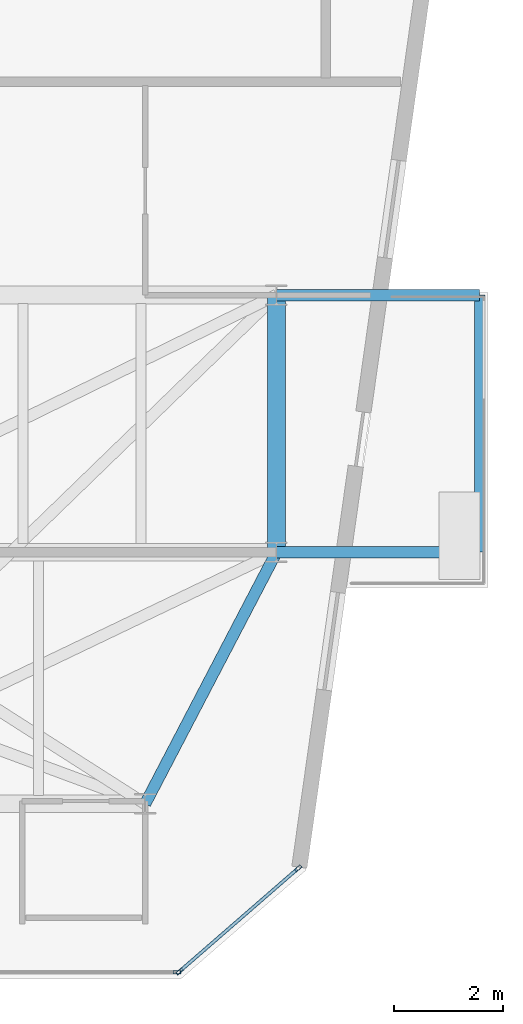
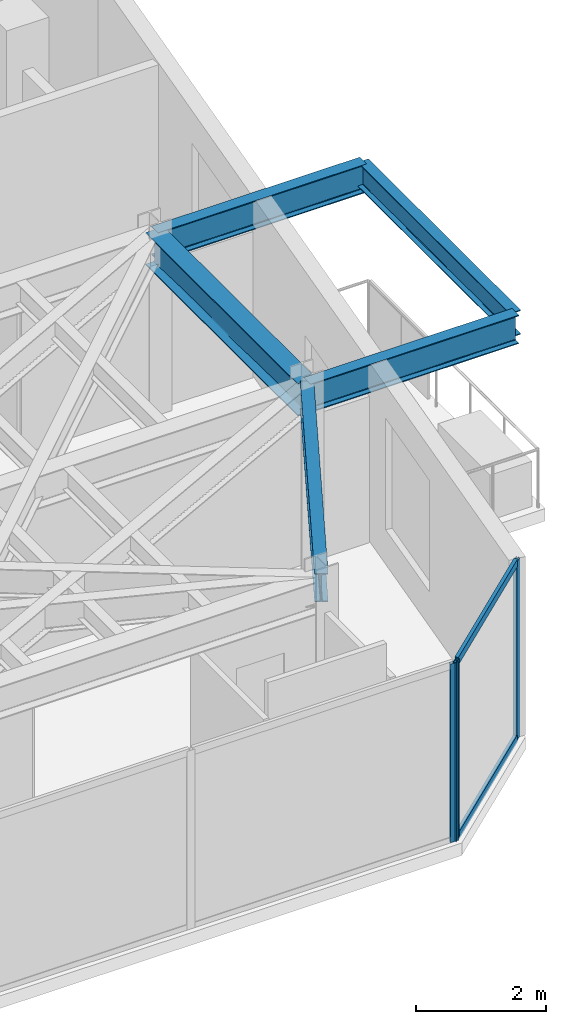
# One storey, part 12 of 17: 5 beams, 5 members, 2 elements without a shape of their own.
"""IFC4 building model written with IfcOpenShell, lengths in metres."""

from ifc_helpers import new_model, si_unit, direction, frame, origin, origin_2d, place, context, subcontext, project, spatial, hollow_rectangle, i_section, extrude, material, layer, layer_set, material_profile, profile_set, type_object, element, aggregate, save


model = new_model("IFC4")

# Units and contexts
model_context = context("Model", 3, precision=1e-05, world=origin(), true_north=direction((0.0, 1.0)))
body_context = subcontext(model_context, "Body", "Model", "MODEL_VIEW")
ifc_project = project(units=[si_unit("LENGTHUNIT", "METRE"), si_unit("AREAUNIT", "SQUARE_METRE"), si_unit("VOLUMEUNIT", "CUBIC_METRE"), si_unit("PLANEANGLEUNIT", "RADIAN"), si_unit("MASSUNIT", "GRAM", prefix="KILO")], contexts=[model_context])

# Site, building, storey
site_placement = place(None, origin())
site = spatial("IfcSite", under=ifc_project, at=site_placement, CompositionType="ELEMENT")
building_placement = place(site_placement, origin())
building = spatial("IfcBuilding", under=site, at=building_placement, Name="Kravanh Interchange Tower", CompositionType="ELEMENT")
storey_placement = place(building_placement, frame((0.0, 0.0, 285.89990234375)))
storey = spatial("IfcBuildingStorey", under=building, at=storey_placement, Name="L70", CompositionType="ELEMENT", Elevation=285.89990234375)

# Curtain wall, members
ifc_material_1 = material(Name="Anodised Bronze Aluminium", Category="aluminium")
ifc_layer = layer(ifc_material_1, 0.179931640625)
ifc_layer_set = layer_set([ifc_layer], Name="Unitised Curtain Wall System CW-HTL Luxury Hotel")
curtain_wall_type = type_object("IfcCurtainWallType", Name="Unitised Curtain Wall System CW-HTL Luxury Hotel", PredefinedType="NOTDEFINED", material=ifc_layer_set)
curtain_wall_1_placement = place(storey_placement, origin())
curtain_wall_1 = element("IfcCurtainWall", 1, at=curtain_wall_1_placement, inside=storey, type_object=curtain_wall_type, Name="L70 Unitised Curtain Wall CW-L70-02", PredefinedType="NOTDEFINED")
ifc_material_2 = material(Name="Anodised Bronze Aluminium", Category="aluminium")
ifc_material_profile_1 = material_profile(ifc_material_2, hollow_rectangle(XDim=0.06005859375, YDim=0.139892578125, WallThickness=0.00390625, at=origin_2d()), Name="ALU60X140X4")
ifc_profile_set_1 = profile_set([ifc_material_profile_1], Name="Anodised Bronze Aluminium")
member_type_1 = type_object("IfcMemberType", Name="Curtain Wall Mullion ALU60X140X4 Bronze", PredefinedType="MULLION", material=ifc_profile_set_1)
member_1_placement = place(storey_placement, frame((65.9970703125, 21.02197265625, 0.0), z_axis=(0.0, 0.0, 1.0), x_axis=(0.656033323139, -0.75473192521, 0.0)))
member_1 = element("IfcMember", 2, at=member_1_placement, type_object=member_type_1, Name="CW-HTL mullion 1", PredefinedType="MULLION", context=body_context, shape_type="SweptSolid", body=[
    extrude(hollow_rectangle(XDim=0.06005859375, YDim=0.139892578125, WallThickness=0.00390625, at=origin_2d()), origin(), (0.0, 0.0, 1.0), 3.364990234375),
])
member_2_placement = place(storey_placement, frame((63.831787109375, 19.1396484375, 0.0), z_axis=(0.0, 0.0, 1.0), x_axis=(0.656033323139, -0.75473192521, 0.0)))
member_2 = element("IfcMember", 3, at=member_2_placement, type_object=member_type_1, Name="CW-HTL mullion 2", PredefinedType="MULLION", context=body_context, shape_type="SweptSolid", body=[
    extrude(hollow_rectangle(XDim=0.06005859375, YDim=0.139892578125, WallThickness=0.00390625, at=origin_2d()), origin(), (0.0, 0.0, 1.0), 3.364990234375),
])

# Curtain wall, member
curtain_wall_2_placement = place(storey_placement, origin())
curtain_wall_2 = element("IfcCurtainWall", 4, at=curtain_wall_2_placement, inside=storey, type_object=curtain_wall_type, Name="L70 Unitised Curtain Wall CW-L70-03", PredefinedType="NOTDEFINED")
member_3_placement = place(storey_placement, frame((63.779052734375, 19.1201171875, 0.0), z_axis=(0.0, 0.0, 1.0), x_axis=(0.0, -1.0, 0.0)))
member_3 = element("IfcMember", 5, at=member_3_placement, type_object=member_type_1, Name="CW-HTL mullion 1", PredefinedType="MULLION", context=body_context, shape_type="SweptSolid", body=[
    extrude(hollow_rectangle(XDim=0.06005859375, YDim=0.139892578125, WallThickness=0.00390625, at=origin_2d()), origin(), (0.0, 0.0, 1.0), 3.364990234375),
])
aggregate(curtain_wall_2, [member_3])

# Member
ifc_material_3 = material(Name="Anodised Bronze Aluminium", Category="aluminium")
ifc_material_profile_2 = material_profile(ifc_material_3, hollow_rectangle(XDim=0.06005859375, YDim=0.139892578125, WallThickness=0.00390625, at=origin_2d()), Name="ALU60X140X4")
ifc_profile_set_2 = profile_set([ifc_material_profile_2], Name="Anodised Bronze Aluminium")
member_type_2 = type_object("IfcMemberType", Name="Curtain Wall Transom ALU60X140X4 Bronze", PredefinedType="USERDEFINED", material=ifc_profile_set_2)
member_4_placement = place(storey_placement, frame((65.974609375, 21.002197265625, 0.030029296875), z_axis=(-0.754747707805, -0.656015165651, 0.0), x_axis=(0.656015165651, -0.754747707805, 0.0)))
member_4 = element("IfcMember", 6, at=member_4_placement, type_object=member_type_2, Name="CW-HTL transom 1.1", ObjectType="TRANSOM", PredefinedType="USERDEFINED", context=body_context, shape_type="SweptSolid", body=[
    extrude(hollow_rectangle(XDim=0.06005859375, YDim=0.139892578125, WallThickness=0.00390625, at=origin_2d()), origin(), (0.0, 0.0, 1.0), 2.80908203125),
])

member_5_placement = place(storey_placement, frame((65.974609375, 21.002197265625, 3.335205078125), z_axis=(-0.754747707805, -0.656015165651, 0.0), x_axis=(0.656015165651, -0.754747707805, 0.0)))
member_5 = element("IfcMember", 7, at=member_5_placement, type_object=member_type_2, Name="CW-HTL transom 1.2", ObjectType="TRANSOM", PredefinedType="USERDEFINED", context=body_context, shape_type="SweptSolid", body=[
    extrude(hollow_rectangle(XDim=0.06005859375, YDim=0.139892578125, WallThickness=0.00390625, at=origin_2d()), origin(), (0.0, 0.0, 1.0), 2.80908203125),
])

aggregate(curtain_wall_1, [member_1, member_2, member_4, member_5])

# Beams
ifc_material_4 = material(Name="Structural Steel S355", Category="steel")
ifc_material_profile_3 = material_profile(ifc_material_4, i_section(OverallWidth=0.323974609375, OverallDepth=0.611083984375, WebThickness=0.0126953125, FlangeThickness=0.01904296875, FilletRadius=0.02197265625, at=origin_2d()), Name="W24X104")
ifc_profile_set_3 = profile_set([ifc_material_profile_3], Name="Structural Steel S355")
beam_type_1 = type_object("IfcBeamType", Name="Floor Beam W24X104 Structural Steel S355", PredefinedType="BEAM", material=ifc_profile_set_3)
beam_1_placement = place(storey_placement, frame((65.60009765625, 31.5, 3.0595703125), z_axis=(0.0, -1.0, 0.0), x_axis=(1.0, 0.0, 0.0)))
element("IfcBeam", 8, at=beam_1_placement, inside=storey, type_object=beam_type_1, Name="L70 Primary Floor Girder 13", PredefinedType="BEAM", context=body_context, shape_type="SweptSolid", body=[
    extrude(i_section(OverallWidth=0.323974609375, OverallDepth=0.611083984375, WebThickness=0.0126953125, FlangeThickness=0.01904296875, FilletRadius=0.02197265625, at=origin_2d()), origin(), (0.0, 0.0, 1.0), 4.699951171875),
])
ifc_material_5 = material(Name="Structural Steel S355", Category="steel")
ifc_material_profile_4 = material_profile(ifc_material_5, i_section(OverallWidth=0.18994140625, OverallDepth=0.45703125, WebThickness=0.009033203125, FlangeThickness=0.014404296875, FilletRadius=0.01806640625, at=origin_2d()), Name="W18X50")
ifc_profile_set_4 = profile_set([ifc_material_profile_4], Name="Structural Steel S355")
beam_type_2 = type_object("IfcBeamType", Name="Floor Joist W18X50 Structural Steel S355", PredefinedType="JOIST", material=ifc_profile_set_4)
beam_2_placement = place(storey_placement, frame((69.31298828125, 26.800048828125, 3.13671875), z_axis=(0.0, 1.0, 0.0), x_axis=(-1.0, 0.0, 0.0)))
element("IfcBeam", 9, at=beam_2_placement, inside=storey, type_object=beam_type_2, Name="L70 Balcony Edge Tie Beam E", PredefinedType="JOIST", context=body_context, shape_type="SweptSolid", body=[
    extrude(i_section(OverallWidth=0.18994140625, OverallDepth=0.45703125, WebThickness=0.009033203125, FlangeThickness=0.014404296875, FilletRadius=0.01806640625, at=origin_2d()), origin(), (0.0, 0.0, 1.0), 4.699951171875),
])
ifc_material_6 = material(Name="Structural Steel S355", Category="steel")
ifc_material_profile_5 = material_profile(ifc_material_6, i_section(OverallWidth=0.2099609375, OverallDepth=0.537109375, WebThickness=0.010986328125, FlangeThickness=0.017333984375, FilletRadius=0.02001953125, at=origin_2d()), Name="W21X68")
ifc_profile_set_5 = profile_set([ifc_material_profile_5], Name="Structural Steel S355")
beam_type_3 = type_object("IfcBeamType", Name="Floor Spandrel W21X68 Structural Steel S355", PredefinedType="SPANDREL", material=ifc_profile_set_5)
beam_3_placement = place(storey_placement, frame((65.60009765625, 26.800048828125, 3.0966796875), z_axis=(-0.462580479178, -0.886577295155, 0.0), x_axis=(0.886577295155, -0.462580479178, 0.0)))
element("IfcBeam", 10, at=beam_3_placement, inside=storey, type_object=beam_type_3, Name="L70 Perimeter Spandrel 31", PredefinedType="SPANDREL", context=body_context, shape_type="SweptSolid", body=[
    extrude(i_section(OverallWidth=0.2099609375, OverallDepth=0.537109375, WebThickness=0.010986328125, FlangeThickness=0.017333984375, FilletRadius=0.02001953125, at=origin_2d()), origin(), (0.0, 0.0, 1.0), 5.188720703125),
])
for number, where, z_axis, x_axis, name in (
    (11, (65.60009765625, 26.800048828125, 3.0966796875), (1.0, 0.0, 0.0), (0.0, 1.0, 0.0), "L70 Balcony Cantilever Outrigger E1"),
    (12, (65.60009765625, 31.5, 3.0966796875), (1.0, 0.0, 0.0), (0.0, 1.0, 0.0), "L70 Balcony Cantilever Outrigger E2"),
):
    element("IfcBeam", number, at=place(storey_placement, frame(where, z_axis=z_axis, x_axis=x_axis)), inside=storey, type_object=beam_type_3, Name=name, PredefinedType="SPANDREL", context=body_context, shape_type="SweptSolid", body=[
        extrude(i_section(OverallWidth=0.2099609375, OverallDepth=0.537109375, WebThickness=0.010986328125, FlangeThickness=0.017333984375, FilletRadius=0.02001953125, at=origin_2d()), origin(), (0.0, 0.0, 1.0), 3.712890625),
    ])

save(model, "model.ifc")
